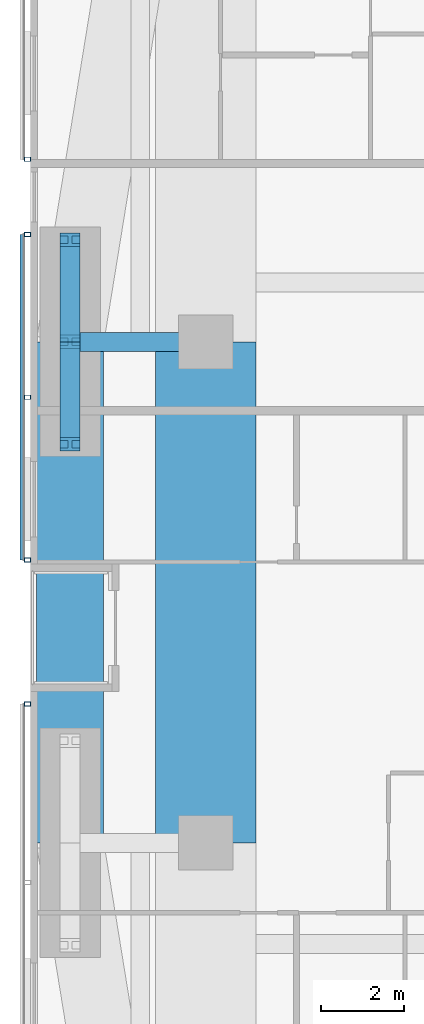
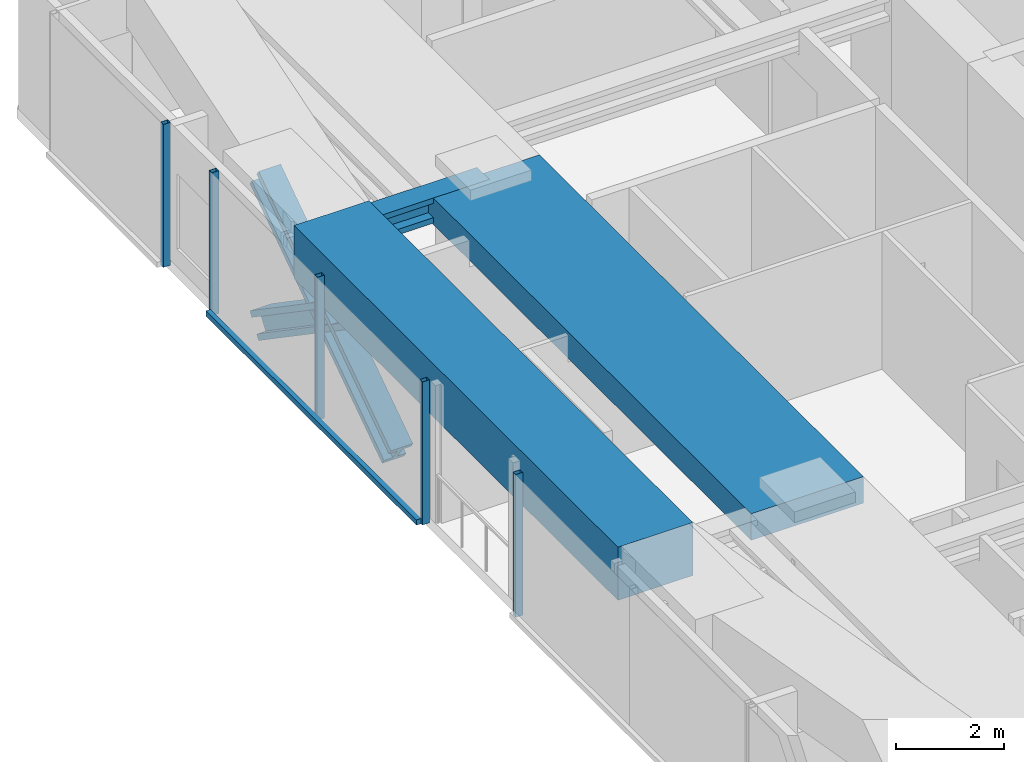
# One storey, part 6 of 24: 10 members, 3 beams, 3 elements without a shape of their own.
"""IFC4 building model written with IfcOpenShell, lengths in metres."""

from ifc_helpers import new_model, si_unit, direction, frame, origin, origin_2d, place, context, subcontext, project, spatial, rectangle, hollow_rectangle, i_section, extrude, material, material_profile, profile_set, type_object, element, aggregate, save


model = new_model("IFC4")

# Units and contexts
model_context = context("Model", 3, precision=1e-05, world=origin(), true_north=direction((0.0, 1.0)))
body_context = subcontext(model_context, "Body", "Model", "MODEL_VIEW")
ifc_project = project(units=[si_unit("LENGTHUNIT", "METRE"), si_unit("AREAUNIT", "SQUARE_METRE"), si_unit("VOLUMEUNIT", "CUBIC_METRE"), si_unit("PLANEANGLEUNIT", "RADIAN"), si_unit("MASSUNIT", "GRAM", prefix="KILO")], contexts=[model_context])

# Site, building, storey
site_placement = place(None, origin())
site = spatial("IfcSite", under=ifc_project, at=site_placement, CompositionType="ELEMENT")
building_placement = place(site_placement, origin())
building = spatial("IfcBuilding", under=site, at=building_placement, Name="Jalousie Tower", CompositionType="ELEMENT")
storey_placement = place(building_placement, frame((0.0, 0.0, 135.0)))
storey = spatial("IfcBuildingStorey", under=building, at=storey_placement, Name="L37", CompositionType="ELEMENT", Elevation=135.0)

# Beam
ifc_material_1 = material(Name="Steel ASTM A992 Grade 50", Category="steel")
ifc_material_profile_1 = material_profile(ifc_material_1, i_section(OverallWidth=0.45458984375, OverallDepth=0.569091796875, WebThickness=0.077880859375, FlangeThickness=0.124755859375, at=origin_2d()), Name="W14X730")
ifc_profile_set_1 = profile_set([ifc_material_profile_1], Name="Steel ASTM A992 Grade 50")
beam_type_1 = type_object("IfcBeamType", Name="LEAN COLLECTOR W14X730", PredefinedType="BEAM", material=ifc_profile_set_1)
beam_1_placement = place(storey_placement, frame((6.949951171875, 25.0, 2.825439453125), z_axis=(1.0, 0.0, 0.0), x_axis=(0.0, 1.0, 0.0)))
element("IfcBeam", 1, at=beam_1_placement, inside=storey, type_object=beam_type_1, Name="Lean collector under L38", PredefinedType="BEAM", context=body_context, shape_type="SweptSolid", body=[
    extrude(i_section(OverallWidth=0.45458984375, OverallDepth=0.569091796875, WebThickness=0.077880859375, FlangeThickness=0.124755859375, at=origin_2d()), origin(), (0.0, 0.0, 1.0), 3.25),
])

# Members
ifc_material_2 = material(Name="Steel ASTM A992 Grade 50", Category="steel")
ifc_material_profile_2 = material_profile(ifc_material_2, i_section(OverallWidth=0.472412109375, OverallDepth=0.5791015625, WebThickness=0.094970703125, FlangeThickness=0.1298828125, at=origin_2d()), Name="W14X808")
ifc_profile_set_2 = profile_set([ifc_material_profile_2], Name="Steel ASTM A992 Grade 50")
member_type_1 = type_object("IfcMemberType", Name="PERIMETER BRACE W14X808", PredefinedType="BRACE", material=ifc_profile_set_2)
for number, where, z_axis, x_axis, name in (
    (2, (6.949951171875, 22.550048828125, -0.60009765625), (0.0, 0.825500916831, 0.564400776321), (-1.0, 0.0, 0.0), "Perimeter brace 13 L37 part 1"),
    (3, (6.949951171875, 25.0, 1.074951171875), (0.0, 0.825500916831, 0.564400776321), (-1.0, 0.0, 0.0), "Perimeter brace 13 L37 part 2"),
    (4, (6.949951171875, 27.449951171875, -0.60009765625), (0.0, -0.825500916831, 0.564400776321), (1.0, 0.0, 0.0), "Perimeter brace 13 L37 part 3"),
    (5, (6.949951171875, 25.0, 1.074951171875), (0.0, -0.825500916831, 0.564400776321), (1.0, 0.0, 0.0), "Perimeter brace 13 L37 part 4"),
):
    element("IfcMember", number, at=place(storey_placement, frame(where, z_axis=z_axis, x_axis=x_axis)), inside=storey, type_object=member_type_1, Name=name, PredefinedType="BRACE", context=body_context, shape_type="SweptSolid", body=[
        extrude(i_section(OverallWidth=0.472412109375, OverallDepth=0.5791015625, WebThickness=0.094970703125, FlangeThickness=0.1298828125, at=origin_2d()), origin(), (0.0, 0.0, 1.0), 2.9677734375),
    ])

# Beams
ifc_material_3 = material(Name="Concrete f'c 40 MPa", Category="concrete")
ifc_material_profile_3 = material_profile(ifc_material_3, rectangle(XDim=1.60009765625, YDim=1.199951171875, at=origin_2d()), Name="RC 1600x1200")
ifc_profile_set_3 = profile_set([ifc_material_profile_3], Name="Concrete f'c 40 MPa")
beam_type_2 = type_object("IfcBeamType", Name="RC BEAM 1600x1200", PredefinedType="BEAM", material=ifc_profile_set_3)
beam_2_placement = place(storey_placement, frame((6.949951171875, 25.0, 2.75), z_axis=(0.0, -1.0, 0.0), x_axis=(1.0, 0.0, 0.0)))
element("IfcBeam", 6, at=beam_2_placement, inside=storey, type_object=beam_type_2, Name="Edge band beam 13-14 under L38", PredefinedType="BEAM", context=body_context, shape_type="SweptSolid", body=[
    extrude(rectangle(XDim=1.60009765625, YDim=1.199951171875, at=origin_2d()), origin(), (0.0, 0.0, 1.0), 12.0),
])
ifc_material_4 = material(Name="Concrete f'c 40 MPa", Category="concrete")
ifc_material_profile_4 = material_profile(ifc_material_4, rectangle(XDim=2.39990234375, YDim=0.60009765625, at=origin_2d()), Name="RC 2400x600")
ifc_profile_set_4 = profile_set([ifc_material_profile_4], Name="Concrete f'c 40 MPa")
beam_type_3 = type_object("IfcBeamType", Name="RC BEAM 2400x600", PredefinedType="BEAM", material=ifc_profile_set_4)
beam_3_placement = place(storey_placement, frame((10.199951171875, 13.0, 2.81005859375), z_axis=(0.0, 1.0, 0.0), x_axis=(-1.0, 0.0, 0.0)))
element("IfcBeam", 7, at=beam_3_placement, inside=storey, type_object=beam_type_3, Name="Floor band beam under L38", PredefinedType="BEAM", context=body_context, shape_type="SweptSolid", body=[
    extrude(rectangle(XDim=2.39990234375, YDim=0.60009765625, at=origin_2d()), origin(), (0.0, 0.0, 1.0), 12.0),
])

# Curtain wall, member
ifc_material_5 = material(Name="Perforated aluminium sheet", Category="aluminium")
curtain_wall_type = type_object("IfcCurtainWallType", Name="SOLAR SCREEN SS-1", PredefinedType="USERDEFINED", material=ifc_material_5)
curtain_wall_1_placement = place(storey_placement, origin())
curtain_wall_1 = element("IfcCurtainWall", 8, at=curtain_wall_1_placement, inside=storey, type_object=curtain_wall_type, Name="Solar screen L37", ObjectType="SOLAR SCREEN SS-1", PredefinedType="USERDEFINED")
ifc_material_6 = material(Name="Steel ASTM A500 Grade C", Category="steel")
ifc_material_profile_5 = material_profile(ifc_material_6, hollow_rectangle(XDim=0.1015625, YDim=0.15234375, WallThickness=0.00634765625, at=origin_2d()), Name="HSS6X4X1/4")
ifc_profile_set_5 = profile_set([ifc_material_profile_5], Name="Steel ASTM A500 Grade C")
member_type_2 = type_object("IfcMemberType", Name="SOLAR SCREEN SS-1 MULLION", PredefinedType="MULLION", material=ifc_profile_set_5)
member_1_placement = place(storey_placement, frame((5.9287109375, 29.375, -0.1201171875), z_axis=(0.0, 0.0, 1.0), x_axis=(0.0, -1.0, 0.0)))
member_1 = element("IfcMember", 9, at=member_1_placement, type_object=member_type_2, Name="SS1 post 2", PredefinedType="MULLION", context=body_context, shape_type="SweptSolid", body=[
    extrude(hollow_rectangle(XDim=0.1015625, YDim=0.15234375, WallThickness=0.00634765625, at=origin_2d()), origin(), (0.0, 0.0, 1.0), 3.230224609375),
])
aggregate(curtain_wall_1, [member_1])

# Curtain wall, members
curtain_wall_2_placement = place(storey_placement, origin())
curtain_wall_2 = element("IfcCurtainWall", 10, at=curtain_wall_2_placement, inside=storey, type_object=curtain_wall_type, Name="Solar screen L37", ObjectType="SOLAR SCREEN SS-1", PredefinedType="USERDEFINED")
member_2_placement = place(storey_placement, frame((5.9287109375, 27.57470703125, -0.1201171875), z_axis=(0.0, 0.0, 1.0), x_axis=(0.0, -1.0, 0.0)))
member_2 = element("IfcMember", 11, at=member_2_placement, type_object=member_type_2, Name="SS1 post 1", PredefinedType="MULLION", context=body_context, shape_type="SweptSolid", body=[
    extrude(hollow_rectangle(XDim=0.1015625, YDim=0.15234375, WallThickness=0.00634765625, at=origin_2d()), origin(), (0.0, 0.0, 1.0), 3.230224609375),
])
member_3_placement = place(storey_placement, frame((5.9287109375, 23.6748046875, -0.1201171875), z_axis=(0.0, 0.0, 1.0), x_axis=(0.0, -1.0, 0.0)))
member_3 = element("IfcMember", 12, at=member_3_placement, type_object=member_type_2, Name="SS1 post 2", PredefinedType="MULLION", context=body_context, shape_type="SweptSolid", body=[
    extrude(hollow_rectangle(XDim=0.1015625, YDim=0.15234375, WallThickness=0.00634765625, at=origin_2d()), origin(), (0.0, 0.0, 1.0), 3.230224609375),
])
member_4_placement = place(storey_placement, frame((5.9287109375, 19.77490234375, -0.1201171875), z_axis=(0.0, 0.0, 1.0), x_axis=(0.0, -1.0, 0.0)))
member_4 = element("IfcMember", 13, at=member_4_placement, type_object=member_type_2, Name="SS1 post 3", PredefinedType="MULLION", context=body_context, shape_type="SweptSolid", body=[
    extrude(hollow_rectangle(XDim=0.1015625, YDim=0.15234375, WallThickness=0.00634765625, at=origin_2d()), origin(), (0.0, 0.0, 1.0), 3.230224609375),
])

# Curtain wall, member
curtain_wall_3_placement = place(storey_placement, origin())
curtain_wall_3 = element("IfcCurtainWall", 14, at=curtain_wall_3_placement, inside=storey, type_object=curtain_wall_type, Name="Solar screen L37", ObjectType="SOLAR SCREEN SS-1", PredefinedType="USERDEFINED")
member_5_placement = place(storey_placement, frame((5.9287109375, 16.324951171875, -0.1201171875), z_axis=(0.0, 0.0, 1.0), x_axis=(0.0, -1.0, 0.0)))
member_5 = element("IfcMember", 15, at=member_5_placement, type_object=member_type_2, Name="SS1 post 1", PredefinedType="MULLION", context=body_context, shape_type="SweptSolid", body=[
    extrude(hollow_rectangle(XDim=0.1015625, YDim=0.15234375, WallThickness=0.00634765625, at=origin_2d()), origin(), (0.0, 0.0, 1.0), 3.230224609375),
])
aggregate(curtain_wall_3, [member_5])

# Member
ifc_material_7 = material(Name="Extruded aluminium screen rail", Category="aluminium")
ifc_material_profile_6 = material_profile(ifc_material_7, rectangle(XDim=0.1015625, YDim=0.1201171875, at=origin_2d()), Name="RAIL 102x120")
ifc_profile_set_6 = profile_set([ifc_material_profile_6], Name="Extruded aluminium screen rail")
member_type_3 = type_object("IfcMemberType", Name="SOLAR SCREEN SS-1 TRANSOM", PredefinedType="USERDEFINED", material=ifc_profile_set_6)
member_6_placement = place(storey_placement, frame((5.8017578125, 27.57470703125, -0.06005859375), z_axis=(0.0, -1.0, 0.0), x_axis=(1.0, 0.0, 0.0)))
member_6 = element("IfcMember", 16, at=member_6_placement, type_object=member_type_3, Name="SS1 rail", ObjectType="TRANSOM", PredefinedType="USERDEFINED", context=body_context, shape_type="SweptSolid", body=[
    extrude(rectangle(XDim=0.1015625, YDim=0.1201171875, at=origin_2d()), origin(), (0.0, 0.0, 1.0), 7.7998046875),
])

aggregate(curtain_wall_2, [member_2, member_3, member_4, member_6])

save(model, "model.ifc")
